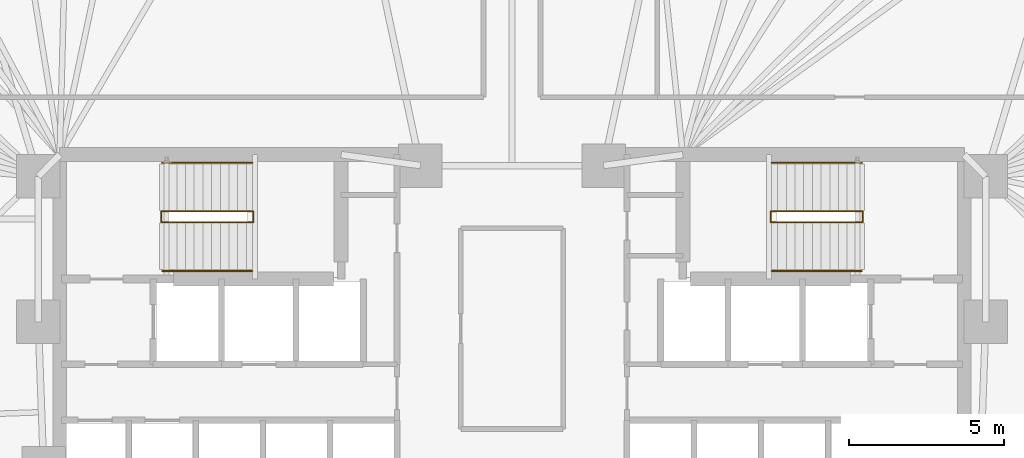
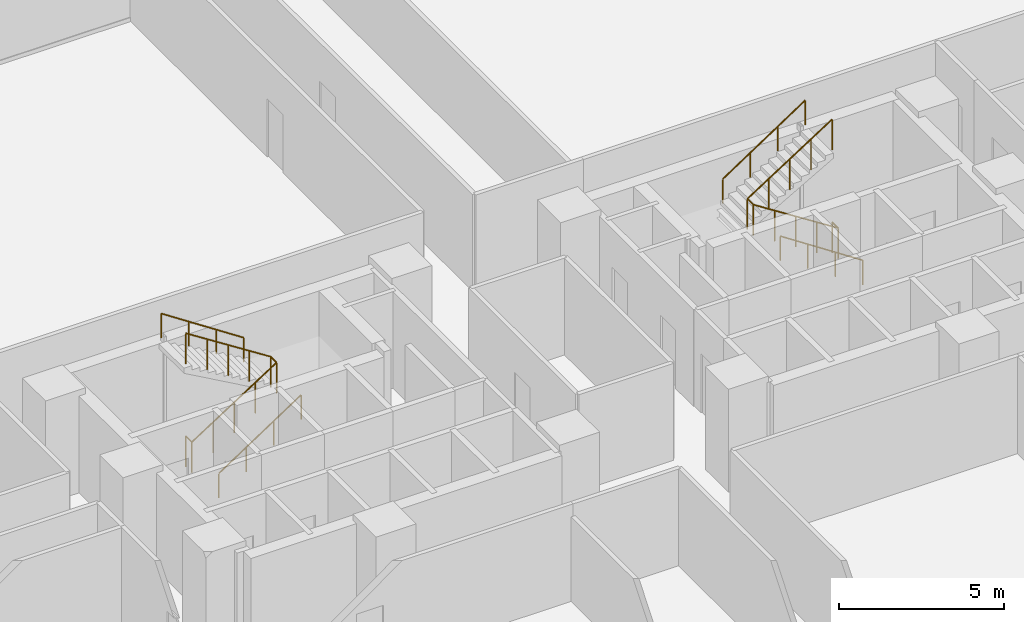
# One storey, part 17 of 17: 6 railings.
"""IFC4 building model written with IfcOpenShell, lengths in metres."""

from ifc_helpers import new_model, si_unit, direction, frame, origin, origin_2d, place, context, subcontext, project, spatial, circle, extrude, material, type_object, element, save


model = new_model("IFC4")

# Units and contexts
model_context = context("Model", 3, precision=1e-05, world=origin(), true_north=direction((0.0, 1.0)))
body_context = subcontext(model_context, "Body", "Model", "MODEL_VIEW")
ifc_project = project(units=[si_unit("LENGTHUNIT", "METRE"), si_unit("AREAUNIT", "SQUARE_METRE"), si_unit("VOLUMEUNIT", "CUBIC_METRE"), si_unit("PLANEANGLEUNIT", "RADIAN"), si_unit("MASSUNIT", "GRAM", prefix="KILO")], contexts=[model_context])

# Site, building, storey
site_placement = place(None, origin())
site = spatial("IfcSite", under=ifc_project, at=site_placement, CompositionType="ELEMENT")
building_placement = place(site_placement, origin())
building = spatial("IfcBuilding", under=site, at=building_placement, Name="Menara Jurai Vektor", CompositionType="ELEMENT")
storey_placement = place(building_placement, frame((0.0, 0.0, 56.0)))
storey = spatial("IfcBuildingStorey", under=building, at=storey_placement, Name="L13", CompositionType="ELEMENT", Elevation=56.0)

# Railings
ifc_material_1 = material(Name="Painted Galvanised Steel Balustrade", Category="steel")
railing_type_1 = type_object("IfcRailingType", Name="RAIL-STAIR-GUARD", PredefinedType="GUARDRAIL", material=ifc_material_1)
railing_1_placement = place(storey_placement, frame((-11.2900390625, 3.780029296875, 0.0)))
element("IfcRailing", 1, at=railing_1_placement, inside=storey, type_object=railing_type_1, Name="ST1 Stair Guardrail 1 L13", PredefinedType="GUARDRAIL", context=body_context, shape_type="SweptSolid", body=[
    extrude(circle(Radius=0.02392578125, at=origin_2d()), frame((0.0, 0.0, 1.1259765625), z_axis=(0.0, -1.0, 0.0), x_axis=(1.0, 0.0, 0.0)), (0.0, 0.0, 1.0), 0.360107421875),
    extrude(circle(Radius=0.02392578125, at=origin_2d()), frame((0.0, -0.360107421875, 1.1259765625), z_axis=(0.841557155905, 0.0, 0.540168078791), x_axis=(0.0, 1.0, 0.0)), (0.0, 0.0, 1.0), 3.517333984375),
    extrude(circle(Radius=0.02392578125, at=origin_2d()), frame((2.9599609375, -0.360107421875, 3.02587890625), z_axis=(0.0, 1.0, 0.0), x_axis=(-1.0, 0.0, 0.0)), (0.0, 0.0, 1.0), 0.360107421875),
    extrude(circle(Radius=0.02392578125, at=origin_2d()), frame((2.9599609375, 0.0, 3.02587890625), z_axis=(-0.841525601958, 0.0, 0.540217235239), x_axis=(0.0, -1.0, 0.0)), (0.0, 0.0, 1.0), 3.517333984375),
    extrude(circle(Radius=0.02099609375, at=origin_2d()), origin(), (0.0, 0.0, 1.0), 1.101806640625),
    extrude(circle(Radius=0.02099609375, at=origin_2d()), frame((0.0, -0.360107421875, 0.0)), (0.0, 0.0, 1.0), 1.101806640625),
    extrude(circle(Radius=0.02099609375, at=origin_2d()), frame((0.739990234375, -0.360107421875, 0.47509765625)), (0.0, 0.0, 1.0), 1.101806640625),
    extrude(circle(Radius=0.02099609375, at=origin_2d()), frame((1.47998046875, -0.360107421875, 0.949951171875)), (0.0, 0.0, 1.0), 1.101806640625),
    extrude(circle(Radius=0.02099609375, at=origin_2d()), frame((2.219970703125, -0.360107421875, 1.4248046875)), (0.0, 0.0, 1.0), 1.101806640625),
    extrude(circle(Radius=0.02099609375, at=origin_2d()), frame((2.9599609375, -0.360107421875, 1.89990234375)), (0.0, 0.0, 1.0), 1.101806640625),
    extrude(circle(Radius=0.02099609375, at=origin_2d()), frame((2.9599609375, 0.0, 1.89990234375)), (0.0, 0.0, 1.0), 1.101806640625),
    extrude(circle(Radius=0.02099609375, at=origin_2d()), frame((2.219970703125, 0.0, 2.375)), (0.0, 0.0, 1.0), 1.101806640625),
    extrude(circle(Radius=0.02099609375, at=origin_2d()), frame((1.47998046875, 0.0, 2.85009765625)), (0.0, 0.0, 1.0), 1.101806640625),
    extrude(circle(Radius=0.02099609375, at=origin_2d()), frame((0.739990234375, 0.0, 3.324951171875)), (0.0, 0.0, 1.0), 1.101806640625),
    extrude(circle(Radius=0.02099609375, at=origin_2d()), frame((0.0, 0.0, 3.800048828125)), (0.0, 0.0, 1.0), 1.101806640625),
])
railing_2_placement = place(storey_placement, frame((11.2900390625, 3.780029296875, 0.0)))
element("IfcRailing", 2, at=railing_2_placement, inside=storey, type_object=railing_type_1, Name="ST2 Stair Guardrail 1 L13", PredefinedType="GUARDRAIL", context=body_context, shape_type="SweptSolid", body=[
    extrude(circle(Radius=0.02392578125, at=origin_2d()), frame((0.0, 0.0, 1.1259765625), z_axis=(0.0, -1.0, 0.0), x_axis=(1.0, 0.0, 0.0)), (0.0, 0.0, 1.0), 0.360107421875),
    extrude(circle(Radius=0.02392578125, at=origin_2d()), frame((0.0, -0.360107421875, 1.1259765625), z_axis=(-0.841557155905, 0.0, 0.540168078791), x_axis=(0.0, -1.0, 0.0)), (0.0, 0.0, 1.0), 3.517333984375),
    extrude(circle(Radius=0.02392578125, at=origin_2d()), frame((-2.9599609375, -0.360107421875, 3.02587890625), z_axis=(0.0, 1.0, 0.0), x_axis=(-1.0, 0.0, 0.0)), (0.0, 0.0, 1.0), 0.360107421875),
    extrude(circle(Radius=0.02392578125, at=origin_2d()), frame((-2.9599609375, 0.0, 3.02587890625), z_axis=(0.841525601958, 0.0, 0.540217235239), x_axis=(0.0, 1.0, 0.0)), (0.0, 0.0, 1.0), 3.517333984375),
    extrude(circle(Radius=0.02099609375, at=origin_2d()), origin(), (0.0, 0.0, 1.0), 1.101806640625),
    extrude(circle(Radius=0.02099609375, at=origin_2d()), frame((0.0, -0.360107421875, 0.0)), (0.0, 0.0, 1.0), 1.101806640625),
    extrude(circle(Radius=0.02099609375, at=origin_2d()), frame((-0.739990234375, -0.360107421875, 0.47509765625)), (0.0, 0.0, 1.0), 1.101806640625),
    extrude(circle(Radius=0.02099609375, at=origin_2d()), frame((-1.47998046875, -0.360107421875, 0.949951171875)), (0.0, 0.0, 1.0), 1.101806640625),
    extrude(circle(Radius=0.02099609375, at=origin_2d()), frame((-2.219970703125, -0.360107421875, 1.4248046875)), (0.0, 0.0, 1.0), 1.101806640625),
    extrude(circle(Radius=0.02099609375, at=origin_2d()), frame((-2.9599609375, -0.360107421875, 1.89990234375)), (0.0, 0.0, 1.0), 1.101806640625),
    extrude(circle(Radius=0.02099609375, at=origin_2d()), frame((-2.9599609375, 0.0, 1.89990234375)), (0.0, 0.0, 1.0), 1.101806640625),
    extrude(circle(Radius=0.02099609375, at=origin_2d()), frame((-2.219970703125, 0.0, 2.375)), (0.0, 0.0, 1.0), 1.101806640625),
    extrude(circle(Radius=0.02099609375, at=origin_2d()), frame((-1.47998046875, 0.0, 2.85009765625)), (0.0, 0.0, 1.0), 1.101806640625),
    extrude(circle(Radius=0.02099609375, at=origin_2d()), frame((-0.739990234375, 0.0, 3.324951171875)), (0.0, 0.0, 1.0), 1.101806640625),
    extrude(circle(Radius=0.02099609375, at=origin_2d()), frame((0.0, 0.0, 3.800048828125)), (0.0, 0.0, 1.0), 1.101806640625),
])
ifc_material_2 = material(Name="Brushed Stainless Steel Handrail", Category="steel")
railing_type_2 = type_object("IfcRailingType", Name="RAIL-STAIR-HAND", PredefinedType="HANDRAIL", material=ifc_material_2)
railing_3_placement = place(storey_placement, frame((-11.25, 1.860107421875, 0.0)))
element("IfcRailing", 3, at=railing_3_placement, inside=storey, type_object=railing_type_2, Name="ST1 Stair Handrail 1 L13", PredefinedType="HANDRAIL", context=body_context, shape_type="SweptSolid", body=[
    extrude(circle(Radius=0.02392578125, at=origin_2d()), frame((0.0, 0.0, 0.89599609375), z_axis=(0.834718698933, 0.0, 0.550676578085), x_axis=(0.0, 1.0, 0.0)), (0.0, 0.0, 1.0), 3.4501953125),
    extrude(circle(Radius=0.02099609375, at=origin_2d()), origin(), (0.0, 0.0, 1.0), 0.871826171875),
    extrude(circle(Radius=0.02099609375, at=origin_2d()), frame((0.9599609375, 0.0, 0.63330078125)), (0.0, 0.0, 1.0), 0.871826171875),
    extrude(circle(Radius=0.02099609375, at=origin_2d()), frame((1.919921875, 0.0, 1.2666015625)), (0.0, 0.0, 1.0), 0.871826171875),
    extrude(circle(Radius=0.02099609375, at=origin_2d()), frame((2.8798828125, 0.0, 1.89990234375)), (0.0, 0.0, 1.0), 0.871826171875),
])
railing_4_placement = place(storey_placement, frame((-8.3701171875, 5.340087890625, 1.89990234375)))
element("IfcRailing", 4, at=railing_4_placement, inside=storey, type_object=railing_type_2, Name="ST1 Stair Handrail 2 L13", PredefinedType="HANDRAIL", context=body_context, shape_type="SweptSolid", body=[
    extrude(circle(Radius=0.02392578125, at=origin_2d()), frame((0.0, 0.0, 0.89599609375), z_axis=(-0.834686171885, 0.0, 0.550725879602), x_axis=(0.0, -1.0, 0.0)), (0.0, 0.0, 1.0), 3.4501953125),
    extrude(circle(Radius=0.02099609375, at=origin_2d()), origin(), (0.0, 0.0, 1.0), 0.871826171875),
    extrude(circle(Radius=0.02099609375, at=origin_2d()), frame((-0.9599609375, 0.0, 0.63330078125)), (0.0, 0.0, 1.0), 0.871826171875),
    extrude(circle(Radius=0.02099609375, at=origin_2d()), frame((-1.919921875, 0.0, 1.266845703125)), (0.0, 0.0, 1.0), 0.871826171875),
    extrude(circle(Radius=0.02099609375, at=origin_2d()), frame((-2.8798828125, 0.0, 1.900146484375)), (0.0, 0.0, 1.0), 0.871826171875),
])
railing_5_placement = place(storey_placement, frame((11.25, 1.860107421875, 0.0)))
element("IfcRailing", 5, at=railing_5_placement, inside=storey, type_object=railing_type_2, Name="ST2 Stair Handrail 1 L13", PredefinedType="HANDRAIL", context=body_context, shape_type="SweptSolid", body=[
    extrude(circle(Radius=0.02392578125, at=origin_2d()), frame((0.0, 0.0, 0.89599609375), z_axis=(-0.834718698933, 0.0, 0.550676578085), x_axis=(0.0, -1.0, 0.0)), (0.0, 0.0, 1.0), 3.4501953125),
    extrude(circle(Radius=0.02099609375, at=origin_2d()), origin(), (0.0, 0.0, 1.0), 0.871826171875),
    extrude(circle(Radius=0.02099609375, at=origin_2d()), frame((-0.9599609375, 0.0, 0.63330078125)), (0.0, 0.0, 1.0), 0.871826171875),
    extrude(circle(Radius=0.02099609375, at=origin_2d()), frame((-1.919921875, 0.0, 1.2666015625)), (0.0, 0.0, 1.0), 0.871826171875),
    extrude(circle(Radius=0.02099609375, at=origin_2d()), frame((-2.8798828125, 0.0, 1.89990234375)), (0.0, 0.0, 1.0), 0.871826171875),
])
railing_6_placement = place(storey_placement, frame((8.3701171875, 5.340087890625, 1.89990234375)))
element("IfcRailing", 6, at=railing_6_placement, inside=storey, type_object=railing_type_2, Name="ST2 Stair Handrail 2 L13", PredefinedType="HANDRAIL", context=body_context, shape_type="SweptSolid", body=[
    extrude(circle(Radius=0.02392578125, at=origin_2d()), frame((0.0, 0.0, 0.89599609375), z_axis=(0.834686171885, 0.0, 0.550725879602), x_axis=(0.0, 1.0, 0.0)), (0.0, 0.0, 1.0), 3.4501953125),
    extrude(circle(Radius=0.02099609375, at=origin_2d()), origin(), (0.0, 0.0, 1.0), 0.871826171875),
    extrude(circle(Radius=0.02099609375, at=origin_2d()), frame((0.9599609375, 0.0, 0.63330078125)), (0.0, 0.0, 1.0), 0.871826171875),
    extrude(circle(Radius=0.02099609375, at=origin_2d()), frame((1.919921875, 0.0, 1.266845703125)), (0.0, 0.0, 1.0), 0.871826171875),
    extrude(circle(Radius=0.02099609375, at=origin_2d()), frame((2.8798828125, 0.0, 1.900146484375)), (0.0, 0.0, 1.0), 0.871826171875),
])

save(model, "model.ifc")
